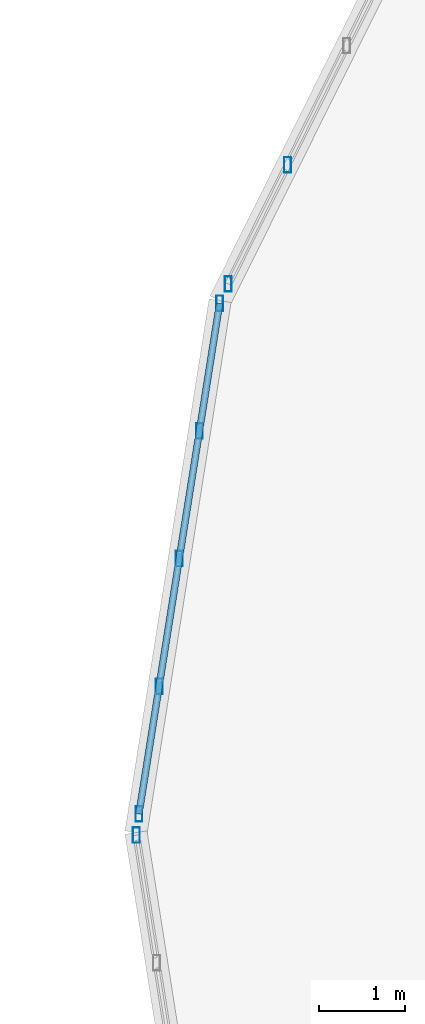
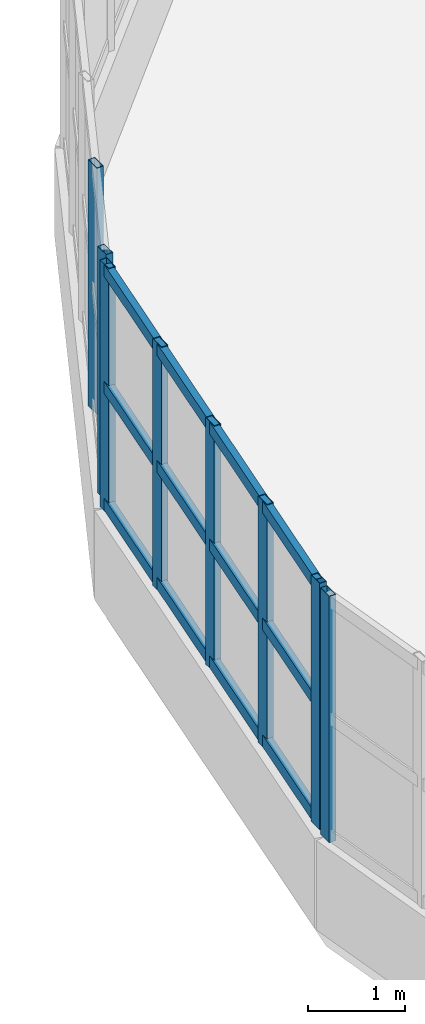
# One storey, part 10 of 50: 11 members, 3 elements without a shape of their own.
"""IFC4 building model written with IfcOpenShell, lengths in metres."""

from ifc_helpers import new_model, si_unit, direction, frame, origin, origin_2d, place, context, subcontext, project, spatial, hollow_rectangle, extrude, material, material_profile, profile_set, type_object, element, aggregate, save


model = new_model("IFC4")

# Units and contexts
model_context = context("Model", 3, precision=1e-05, world=origin(), true_north=direction((0.0, 1.0)))
body_context = subcontext(model_context, "Body", "Model", "MODEL_VIEW")
ifc_project = project(units=[si_unit("LENGTHUNIT", "METRE"), si_unit("AREAUNIT", "SQUARE_METRE"), si_unit("VOLUMEUNIT", "CUBIC_METRE"), si_unit("PLANEANGLEUNIT", "RADIAN"), si_unit("MASSUNIT", "GRAM", prefix="KILO")], contexts=[model_context])

# Site, building, storey
site_placement = place(None, origin())
site = spatial("IfcSite", under=ifc_project, at=site_placement, CompositionType="ELEMENT")
building_placement = place(site_placement, origin())
building = spatial("IfcBuilding", under=site, at=building_placement, Name="Solvento Point Concert Hall", CompositionType="ELEMENT")
storey_placement = place(building_placement, frame((0.0, 0.0, 15.0)))
storey = spatial("IfcBuildingStorey", under=building, at=storey_placement, Name="L03", CompositionType="ELEMENT", Elevation=15.0)

# Curtain wall, member
ifc_material_1 = material(Name="Anodized Bronze Aluminium", Category="aluminium")
curtain_wall_type = type_object("IfcCurtainWallType", Name="CurtainWall_RingRibbon_L03_04", PredefinedType="USERDEFINED", material=ifc_material_1)
curtain_wall_1_placement = place(storey_placement, origin())
curtain_wall_1 = element("IfcCurtainWall", 1, at=curtain_wall_1_placement, inside=storey, type_object=curtain_wall_type, Name="Unitised curtain wall CW-31 UCW-L03-190", ObjectType="UNITISED CURTAIN WALL", PredefinedType="USERDEFINED")
ifc_material_2 = material(Name="Anodized Bronze Aluminium", Category="aluminium")
ifc_material_profile_1 = material_profile(ifc_material_2, hollow_rectangle(XDim=0.080078125, YDim=0.179931640625, WallThickness=0.00390625, at=origin_2d()), Name="CW-MUL-80X180")
ifc_profile_set_1 = profile_set([ifc_material_profile_1], Name="Anodized Bronze Aluminium")
member_type_1 = type_object("IfcMemberType", Name="Mullion_80x180", PredefinedType="MULLION", material=ifc_profile_set_1)
member_1_placement = place(storey_placement, frame((32.40478515625, 32.0703125, 1.1201171875), z_axis=(0.0, 0.0, 1.0), x_axis=(1.0, 0.0, 0.0)))
member_1 = element("IfcMember", 2, at=member_1_placement, type_object=member_type_1, Name="Curtain wall mullion ML-01", PredefinedType="MULLION", context=body_context, shape_type="SweptSolid", body=[
    extrude(hollow_rectangle(XDim=0.080078125, YDim=0.179931640625, WallThickness=0.00390625, at=origin_2d()), origin(), (0.0, 0.0, 1.0), 3.08984375),
])
aggregate(curtain_wall_1, [member_1])

# Curtain wall, members
curtain_wall_2_placement = place(storey_placement, origin())
curtain_wall_2 = element("IfcCurtainWall", 3, at=curtain_wall_2_placement, inside=storey, type_object=curtain_wall_type, Name="Unitised curtain wall CW-31 UCW-L03-191", ObjectType="UNITISED CURTAIN WALL", PredefinedType="USERDEFINED")
member_2_placement = place(storey_placement, frame((32.434326171875, 32.3173828125, 1.1201171875), z_axis=(0.0, 0.0, 1.0), x_axis=(1.0, 0.0, 0.0)))
member_2 = element("IfcMember", 4, at=member_2_placement, type_object=member_type_1, Name="Curtain wall mullion ML-01", PredefinedType="MULLION", context=body_context, shape_type="SweptSolid", body=[
    extrude(hollow_rectangle(XDim=0.080078125, YDim=0.179931640625, WallThickness=0.00390625, at=origin_2d()), origin(), (0.0, 0.0, 1.0), 3.08984375),
])
member_3_placement = place(storey_placement, frame((32.669921875, 33.80859375, 1.1201171875), z_axis=(0.0, 0.0, 1.0), x_axis=(1.0, 0.0, 0.0)))
member_3 = element("IfcMember", 5, at=member_3_placement, type_object=member_type_1, Name="Curtain wall mullion ML-01", PredefinedType="MULLION", context=body_context, shape_type="SweptSolid", body=[
    extrude(hollow_rectangle(XDim=0.080078125, YDim=0.179931640625, WallThickness=0.00390625, at=origin_2d()), origin(), (0.0, 0.0, 1.0), 3.08984375),
])
member_4_placement = place(storey_placement, frame((32.905517578125, 35.2998046875, 1.1201171875), z_axis=(0.0, 0.0, 1.0), x_axis=(1.0, 0.0, 0.0)))
member_4 = element("IfcMember", 6, at=member_4_placement, type_object=member_type_1, Name="Curtain wall mullion ML-01", PredefinedType="MULLION", context=body_context, shape_type="SweptSolid", body=[
    extrude(hollow_rectangle(XDim=0.080078125, YDim=0.179931640625, WallThickness=0.00390625, at=origin_2d()), origin(), (0.0, 0.0, 1.0), 3.08984375),
])
member_5_placement = place(storey_placement, frame((33.14111328125, 36.791015625, 1.1201171875), z_axis=(0.0, 0.0, 1.0), x_axis=(1.0, 0.0, 0.0)))
member_5 = element("IfcMember", 7, at=member_5_placement, type_object=member_type_1, Name="Curtain wall mullion ML-01", PredefinedType="MULLION", context=body_context, shape_type="SweptSolid", body=[
    extrude(hollow_rectangle(XDim=0.080078125, YDim=0.179931640625, WallThickness=0.00390625, at=origin_2d()), origin(), (0.0, 0.0, 1.0), 3.08984375),
])
member_6_placement = place(storey_placement, frame((33.376708984375, 38.281982421875, 1.1201171875), z_axis=(0.0, 0.0, 1.0), x_axis=(1.0, 0.0, 0.0)))
member_6 = element("IfcMember", 8, at=member_6_placement, type_object=member_type_1, Name="Curtain wall mullion ML-01", PredefinedType="MULLION", context=body_context, shape_type="SweptSolid", body=[
    extrude(hollow_rectangle(XDim=0.080078125, YDim=0.179931640625, WallThickness=0.00390625, at=origin_2d()), origin(), (0.0, 0.0, 1.0), 3.08984375),
])

curtain_wall_3_placement = place(storey_placement, origin())
curtain_wall_3 = element("IfcCurtainWall", 9, at=curtain_wall_3_placement, inside=storey, type_object=curtain_wall_type, Name="Unitised curtain wall CW-31 UCW-L03-192", ObjectType="UNITISED CURTAIN WALL", PredefinedType="USERDEFINED")
member_7_placement = place(storey_placement, frame((33.479248046875, 38.5087890625, 1.1201171875), z_axis=(0.0, 0.0, 1.0), x_axis=(1.0, 0.0, 0.0)))
member_7 = element("IfcMember", 10, at=member_7_placement, type_object=member_type_1, Name="Curtain wall mullion ML-01", PredefinedType="MULLION", context=body_context, shape_type="SweptSolid", body=[
    extrude(hollow_rectangle(XDim=0.080078125, YDim=0.179931640625, WallThickness=0.00390625, at=origin_2d()), origin(), (0.0, 0.0, 1.0), 3.08984375),
])
member_8_placement = place(storey_placement, frame((34.170654296875, 39.89990234375, 1.1201171875), z_axis=(0.0, 0.0, 1.0), x_axis=(1.0, 0.0, 0.0)))
member_8 = element("IfcMember", 11, at=member_8_placement, type_object=member_type_1, Name="Curtain wall mullion ML-01", PredefinedType="MULLION", context=body_context, shape_type="SweptSolid", body=[
    extrude(hollow_rectangle(XDim=0.080078125, YDim=0.179931640625, WallThickness=0.00390625, at=origin_2d()), origin(), (0.0, 0.0, 1.0), 3.08984375),
])
aggregate(curtain_wall_3, [member_7, member_8])

# Member
ifc_material_3 = material(Name="Anodized Bronze Aluminium", Category="aluminium")
ifc_material_profile_2 = material_profile(ifc_material_3, hollow_rectangle(XDim=0.080078125, YDim=0.14990234375, WallThickness=0.00390625, at=origin_2d()), Name="CW-TRN-80X150")
ifc_profile_set_2 = profile_set([ifc_material_profile_2], Name="Anodized Bronze Aluminium")
member_type_2 = type_object("IfcMemberType", Name="Transom_80x150", PredefinedType="USERDEFINED", material=ifc_profile_set_2)
member_9_placement = place(storey_placement, frame((32.434326171875, 32.3173828125, 1.199951171875), z_axis=(0.156060151283, 0.987747553367, 0.0), x_axis=(-0.987747553367, 0.156060151283, 0.0)))
member_9 = element("IfcMember", 12, at=member_9_placement, type_object=member_type_2, Name="Curtain wall transom TR-01", ObjectType="TRANSOM", PredefinedType="USERDEFINED", context=body_context, shape_type="SweptSolid", body=[
    extrude(hollow_rectangle(XDim=0.080078125, YDim=0.14990234375, WallThickness=0.00390625, at=origin_2d()), origin(), (0.0, 0.0, 1.0), 6.03857421875),
])

member_10_placement = place(storey_placement, frame((32.434326171875, 32.3173828125, 2.6650390625), z_axis=(0.156060151283, 0.987747553367, 0.0), x_axis=(-0.987747553367, 0.156060151283, 0.0)))
member_10 = element("IfcMember", 13, at=member_10_placement, type_object=member_type_2, Name="Curtain wall transom TR-01", ObjectType="TRANSOM", PredefinedType="USERDEFINED", context=body_context, shape_type="SweptSolid", body=[
    extrude(hollow_rectangle(XDim=0.080078125, YDim=0.14990234375, WallThickness=0.00390625, at=origin_2d()), origin(), (0.0, 0.0, 1.0), 6.03857421875),
])

member_11_placement = place(storey_placement, frame((32.434326171875, 32.3173828125, 4.1298828125), z_axis=(0.156060151283, 0.987747553367, 0.0), x_axis=(-0.987747553367, 0.156060151283, 0.0)))
member_11 = element("IfcMember", 14, at=member_11_placement, type_object=member_type_2, Name="Curtain wall transom TR-01", ObjectType="TRANSOM", PredefinedType="USERDEFINED", context=body_context, shape_type="SweptSolid", body=[
    extrude(hollow_rectangle(XDim=0.080078125, YDim=0.14990234375, WallThickness=0.00390625, at=origin_2d()), origin(), (0.0, 0.0, 1.0), 6.03857421875),
])

aggregate(curtain_wall_2, [member_2, member_3, member_4, member_5, member_6, member_9, member_10, member_11])

save(model, "model.ifc")
